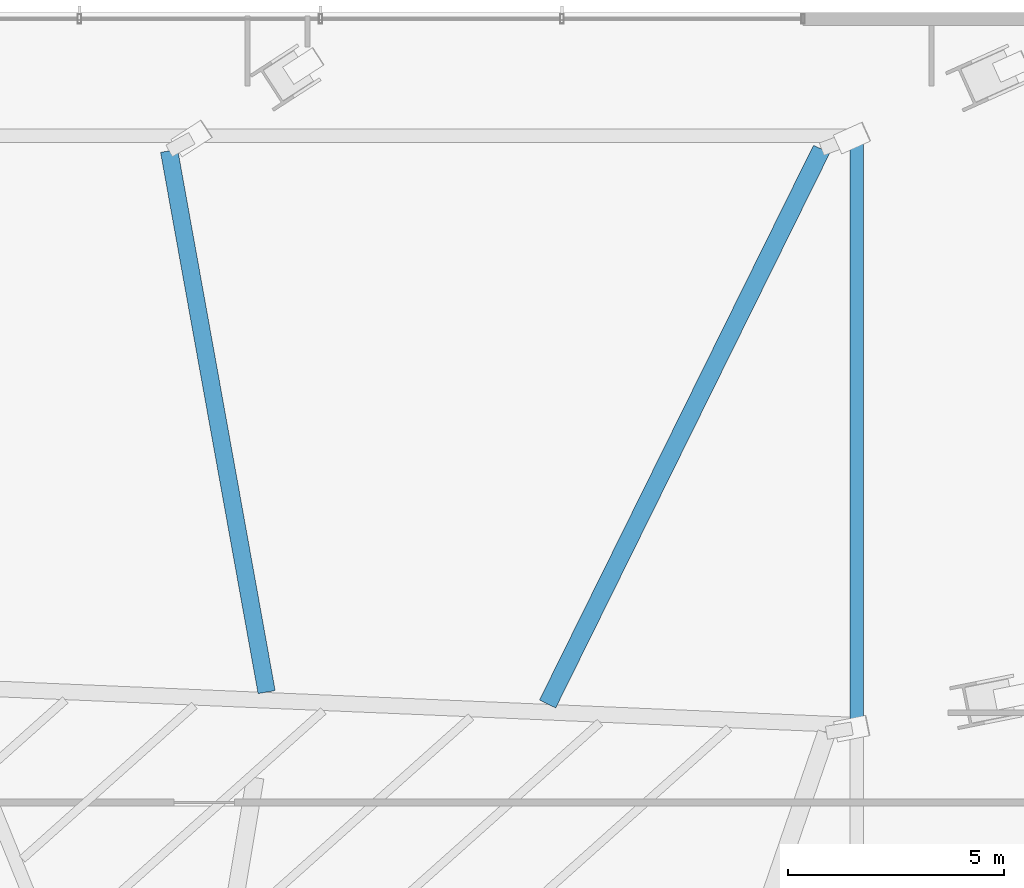
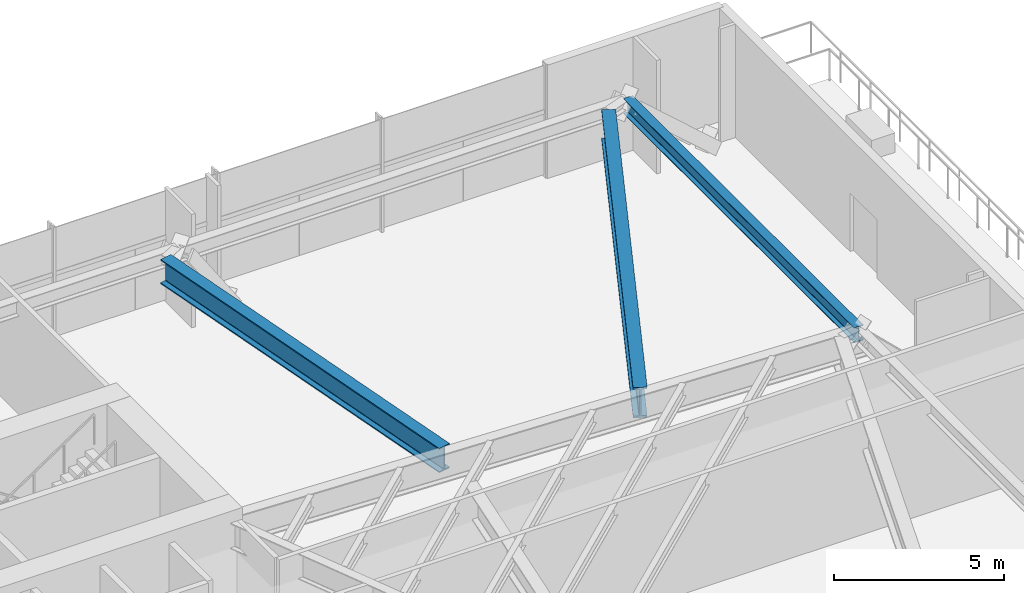
# One storey, part 18 of 30: 3 beams.
"""IFC4 building model written with IfcOpenShell, lengths in metres."""

from ifc_helpers import new_model, si_unit, direction, frame, origin, origin_2d, place, context, subcontext, project, spatial, i_section, extrude, source, transform, mapped, material, material_profile, profile_set, type_object, type_shapes, element, save


model = new_model("IFC4")

# Units and contexts
model_context = context("Model", 3, precision=1e-05, world=origin(), true_north=direction((0.0, 1.0)))
body_context = subcontext(model_context, "Body", "Model", "MODEL_VIEW")
ifc_project = project(units=[si_unit("LENGTHUNIT", "METRE"), si_unit("AREAUNIT", "SQUARE_METRE"), si_unit("VOLUMEUNIT", "CUBIC_METRE"), si_unit("PLANEANGLEUNIT", "RADIAN"), si_unit("MASSUNIT", "GRAM", prefix="KILO")], contexts=[model_context])

# Site, building, storey
site_placement = place(None, origin())
site = spatial("IfcSite", under=ifc_project, at=site_placement, CompositionType="ELEMENT")
building_placement = place(site_placement, origin())
building = spatial("IfcBuilding", under=site, at=building_placement, Name="Astriad Promenade Condominiums", CompositionType="ELEMENT")
storey_placement = place(building_placement, frame((0.0, 0.0, 14.0)))
storey = spatial("IfcBuildingStorey", under=building, at=storey_placement, Name="L03", CompositionType="ELEMENT", Elevation=14.0)

# Beams
ifc_material = material(Name="Steel ASTM A992 Grade 50", Category="steel")
ifc_material_profile_1 = material_profile(ifc_material, i_section(OverallWidth=0.3134765625, OverallDepth=0.54638671875, WebThickness=0.013916015625, FlangeThickness=0.022216796875, FilletRadius=0.0166015625, at=origin_2d()), Name="W21X111")
ifc_profile_set_1 = profile_set([ifc_material_profile_1], Name="Steel ASTM A992 Grade 50")
beam_type_1 = type_object("IfcBeamType", Name="STEEL SPANDREL BEAM W21X111", PredefinedType="SPANDREL", material=ifc_profile_set_1)
shared_shape_1 = source(origin(), body_context, "Body", "SweptSolid", [
    extrude(i_section(OverallWidth=0.3134765625, OverallDepth=0.54638671875, WebThickness=0.013916015625, FlangeThickness=0.022216796875, FilletRadius=0.0166015625, at=origin_2d()), origin(), (0.0, 0.0, 1.0), 13.60693359375),
])
type_shapes(beam_type_1, [shared_shape_1])
beam_1_placement = place(storey_placement, frame((66.687744140625, 16.49365234375, 3.806884765625), z_axis=(0.0, 1.0, 0.0), x_axis=(-1.0, 0.0, 0.0)))
element("IfcBeam", 1, at=beam_1_placement, inside=storey, type_object=beam_type_1, Name="Perimeter Spandrel Beam SP-E2-L03", PredefinedType="SPANDREL", context=body_context, shape_type="MappedRepresentation", body=[
    mapped(shared_shape_1, transform((0.0, 0.0, 0.0), scale=1.0)),
])
ifc_material_profile_2 = material_profile(ifc_material, i_section(OverallWidth=0.4013671875, OverallDepth=0.877197265625, WebThickness=0.022216796875, FlangeThickness=0.039794921875, FilletRadius=0.02294921875, at=origin_2d()), Name="W33X263")
ifc_profile_set_2 = profile_set([ifc_material_profile_2], Name="Steel ASTM A992 Grade 50")
beam_type_2 = type_object("IfcBeamType", Name="STEEL TRANSFER CARRIER GIRDER W33X263", PredefinedType="BEAM", material=ifc_profile_set_2)
shared_shape_2 = source(origin(), body_context, "Body", "SweptSolid", [
    extrude(i_section(OverallWidth=0.4013671875, OverallDepth=0.877197265625, WebThickness=0.022216796875, FlangeThickness=0.039794921875, FilletRadius=0.02294921875, at=origin_2d()), origin(), (0.0, 0.0, 1.0), 12.720458984375),
])
type_shapes(beam_type_2, [shared_shape_2])
beam_2_placement = place(storey_placement, frame((53.040283203125, 17.276611328125, 3.641357421875), z_axis=(-0.177300974682, 0.984156676742, 0.0), x_axis=(-0.984156676742, -0.177300974682, 0.0)))
element("IfcBeam", 2, at=beam_2_placement, inside=storey, type_object=beam_type_2, Name="Transfer Splice Carrier TRM-SP-PC09-L03", PredefinedType="BEAM", context=body_context, shape_type="MappedRepresentation", body=[
    mapped(shared_shape_2, transform((0.0, 0.0, 0.0), scale=1.0)),
])
ifc_material_profile_3 = material_profile(ifc_material, i_section(OverallWidth=0.4169921875, OverallDepth=1.093505859375, WebThickness=0.0390625, FlangeThickness=0.070068359375, FilletRadius=0.025390625, at=origin_2d()), Name="W40X503")
ifc_profile_set_3 = profile_set([ifc_material_profile_3], Name="Steel ASTM A992 Grade 50")
beam_type_3 = type_object("IfcBeamType", Name="STEEL TRANSFER GIRDER W40X503", PredefinedType="BEAM", material=ifc_profile_set_3)
shared_shape_3 = source(origin(), body_context, "Body", "SweptSolid", [
    extrude(i_section(OverallWidth=0.4169921875, OverallDepth=1.093505859375, WebThickness=0.0390625, FlangeThickness=0.070068359375, FilletRadius=0.025390625, at=origin_2d()), origin(), (0.0, 0.0, 1.0), 14.31201171875),
])
type_shapes(beam_type_3, [shared_shape_3])
beam_3_placement = place(storey_placement, frame((59.539794921875, 17.001953125, 3.533203125), z_axis=(0.442820777006, 0.89661014909, 0.0), x_axis=(-0.89661014909, 0.442820777006, 0.0)))
element("IfcBeam", 3, at=beam_3_placement, inside=storey, type_object=beam_type_3, Name="Transfer Splice Carrier TRM-SP-PC10-L03", PredefinedType="BEAM", context=body_context, shape_type="MappedRepresentation", body=[
    mapped(shared_shape_3, transform((0.0, 0.0, 0.0), scale=1.0)),
])

save(model, "model.ifc")
